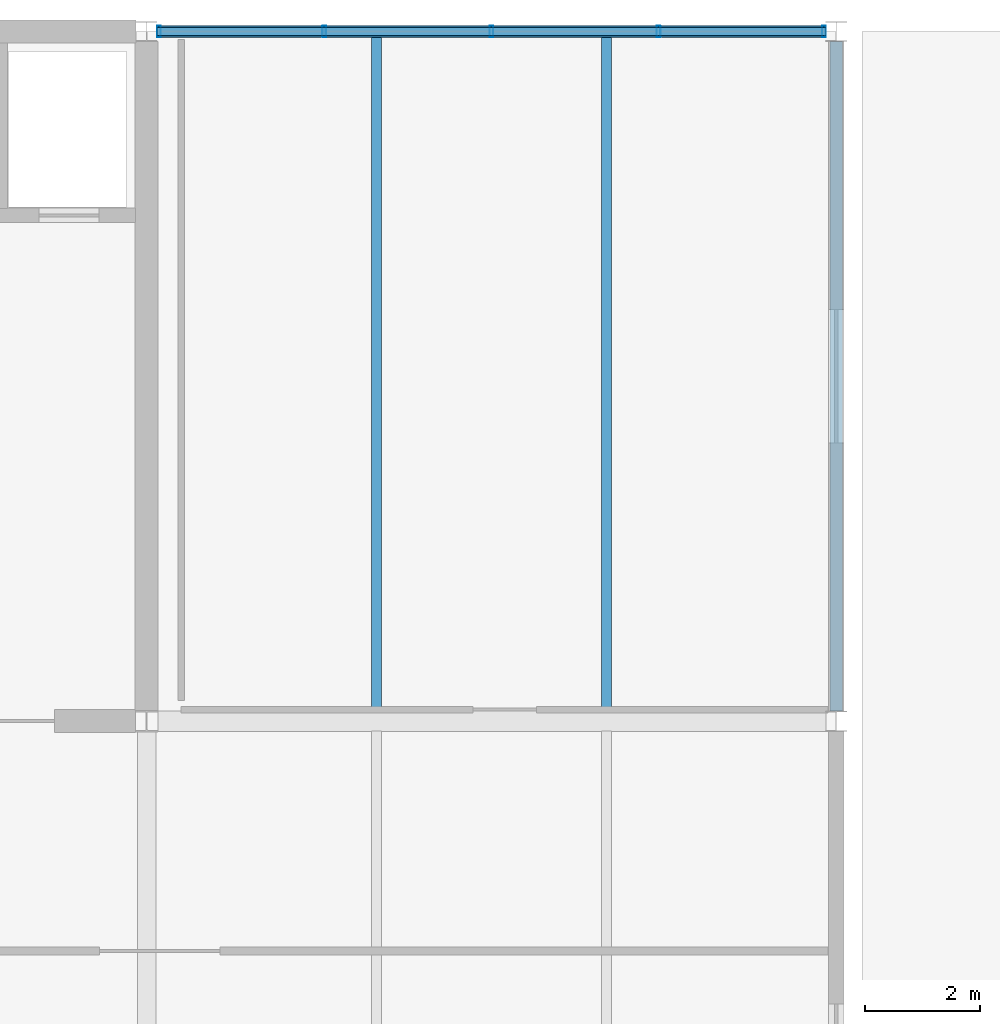
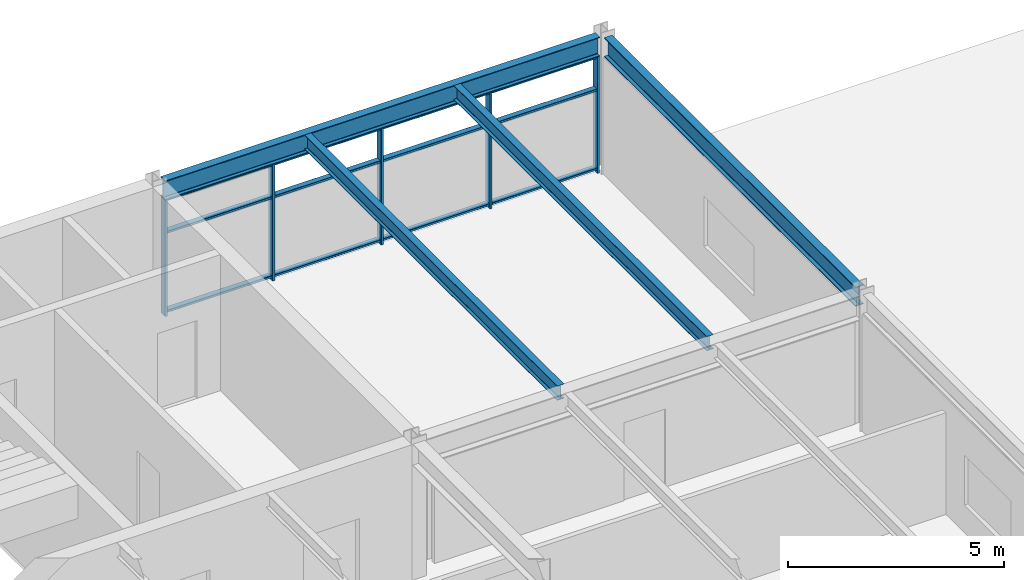
# One storey, part 20 of 30: 8 members, 4 beams, 1 element without a shape of its own.
"""IFC4 building model written with IfcOpenShell, lengths in metres."""

from ifc_helpers import new_model, si_unit, direction, frame, origin, origin_2d, place, context, subcontext, project, spatial, hollow_rectangle, i_section, extrude, material, material_profile, profile_set, type_object, element, aggregate, save


model = new_model("IFC4")

# Units and contexts
model_context = context("Model", 3, precision=1e-05, world=origin(), true_north=direction((0.0, 1.0)))
body_context = subcontext(model_context, "Body", "Model", "MODEL_VIEW")
ifc_project = project(units=[si_unit("LENGTHUNIT", "METRE"), si_unit("AREAUNIT", "SQUARE_METRE"), si_unit("VOLUMEUNIT", "CUBIC_METRE"), si_unit("PLANEANGLEUNIT", "RADIAN"), si_unit("MASSUNIT", "GRAM", prefix="KILO")], contexts=[model_context])

# Site, building, storey
site_placement = place(None, origin())
site = spatial("IfcSite", under=ifc_project, at=site_placement, CompositionType="ELEMENT")
building_placement = place(site_placement, origin())
building = spatial("IfcBuilding", under=site, at=building_placement, Name="Girod Span Mobility Hub", CompositionType="ELEMENT")
storey_placement = place(building_placement, frame((0.0, 0.0, 49.60009765625)))
storey = spatial("IfcBuildingStorey", under=building, at=storey_placement, Name="L12", CompositionType="ELEMENT", Elevation=49.60009765625)

# Beams
ifc_material_1 = material(Name="Steel A992 Grade 50", Category="steel")
ifc_material_profile_1 = material_profile(ifc_material_1, i_section(OverallWidth=0.178955078125, OverallDepth=0.409912109375, WebThickness=0.0087890625, FlangeThickness=0.014404296875, FilletRadius=0.012939453125, at=origin_2d()), Name="W16X45")
ifc_profile_set_1 = profile_set([ifc_material_profile_1], Name="Steel A992 Grade 50")
beam_type_1 = type_object("IfcBeamType", Name="BM-STL-W16X45", PredefinedType="BEAM", material=ifc_profile_set_1)
for number, where, z_axis, x_axis, name in (
    (1, (124.0, 57.174560546875, 3.639892578125), (0.0, 1.0, 0.0), (-1.0, 0.0, 0.0), "Composite Floorbeam 11/E-1 L12"),
    (2, (128.0, 57.174560546875, 3.639892578125), (0.0, 1.0, 0.0), (-1.0, 0.0, 0.0), "Composite Floorbeam 11/E-2 L12"),
):
    element("IfcBeam", number, at=place(storey_placement, frame(where, z_axis=z_axis, x_axis=x_axis)), inside=storey, type_object=beam_type_1, Name=name, PredefinedType="BEAM", context=body_context, shape_type="SweptSolid", body=[
        extrude(i_section(OverallWidth=0.178955078125, OverallDepth=0.409912109375, WebThickness=0.0087890625, FlangeThickness=0.014404296875, FilletRadius=0.012939453125, at=origin_2d()), origin(), (0.0, 0.0, 1.0), 11.722412109375),
    ])
ifc_material_2 = material(Name="Steel A992 Grade 50", Category="steel")
ifc_material_profile_2 = material_profile(ifc_material_2, i_section(OverallWidth=0.2119140625, OverallDepth=0.5439453125, WebThickness=0.01318359375, FlangeThickness=0.021240234375, FilletRadius=0.014892578125, at=origin_2d()), Name="W21X83")
ifc_profile_set_2 = profile_set([ifc_material_profile_2], Name="Steel A992 Grade 50")
beam_type_2 = type_object("IfcBeamType", Name="BM-STL-W21X83", PredefinedType="SPANDREL", material=ifc_profile_set_2)
beam_1_placement = place(storey_placement, frame((120.181396484375, 69.0, 3.572998046875), z_axis=(1.0, 0.0, 0.0), x_axis=(0.0, 1.0, 0.0)))
element("IfcBeam", 3, at=beam_1_placement, inside=storey, type_object=beam_type_2, Name="Girder 11-12/F L12", PredefinedType="SPANDREL", context=body_context, shape_type="SweptSolid", body=[
    extrude(i_section(OverallWidth=0.2119140625, OverallDepth=0.5439453125, WebThickness=0.01318359375, FlangeThickness=0.021240234375, FilletRadius=0.014892578125, at=origin_2d()), origin(), (0.0, 0.0, 1.0), 11.63720703125),
])
beam_2_placement = place(storey_placement, frame((132.0, 57.175048828125, 3.572998046875), z_axis=(0.0, 1.0, 0.0), x_axis=(-1.0, 0.0, 0.0)))
element("IfcBeam", 4, at=beam_2_placement, inside=storey, type_object=beam_type_2, Name="Tie Girder 12/E-F L12", PredefinedType="SPANDREL", context=body_context, shape_type="SweptSolid", body=[
    extrude(i_section(OverallWidth=0.2119140625, OverallDepth=0.5439453125, WebThickness=0.01318359375, FlangeThickness=0.021240234375, FilletRadius=0.014892578125, at=origin_2d()), origin(), (0.0, 0.0, 1.0), 11.64990234375),
])

# Curtain wall, members
ifc_material_3 = material(Name="Thermally Broken Anodised Aluminium", Category="aluminium")
curtain_wall_type = type_object("IfcCurtainWallType", Name="CW-1164X330", PredefinedType="USERDEFINED", material=ifc_material_3)
curtain_wall_placement = place(storey_placement, origin())
curtain_wall = element("IfcCurtainWall", 5, at=curtain_wall_placement, inside=storey, type_object=curtain_wall_type, Name="Unitised Curtain Wall CW-L12-N11 L12", ObjectType="UNITISED CURTAIN WALL", PredefinedType="USERDEFINED")
ifc_material_4 = material(Name="Thermally Broken Anodised Aluminium", Category="aluminium")
ifc_material_profile_3 = material_profile(ifc_material_4, hollow_rectangle(XDim=0.199951171875, YDim=0.06494140625, WallThickness=0.00390625, InnerFilletRadius=0.00390625, OuterFilletRadius=0.008056640625, at=origin_2d()), Name="CW-ML-65X200")
ifc_profile_set_3 = profile_set([ifc_material_profile_3], Name="Thermally Broken Anodised Aluminium")
member_type_1 = type_object("IfcMemberType", Name="CWM-ML-1", PredefinedType="MULLION", material=ifc_profile_set_3)
member_1_placement = place(storey_placement, frame((120.214599609375, 69.0, 0.0), z_axis=(0.0, 0.0, 1.0), x_axis=(0.0, 1.0, 0.0)))
member_1 = element("IfcMember", 6, at=member_1_placement, type_object=member_type_1, Name="Curtain Wall Mullion CW-L12-N11-M0", PredefinedType="MULLION", context=body_context, shape_type="SweptSolid", body=[
    extrude(hollow_rectangle(XDim=0.199951171875, YDim=0.06494140625, WallThickness=0.00390625, InnerFilletRadius=0.00390625, OuterFilletRadius=0.008056640625, at=origin_2d()), origin(), (0.0, 0.0, 1.0), 3.30078125),
])
member_2_placement = place(storey_placement, frame((123.09130859375, 69.0, 0.0), z_axis=(0.0, 0.0, 1.0), x_axis=(0.0, 1.0, 0.0)))
member_2 = element("IfcMember", 7, at=member_2_placement, type_object=member_type_1, Name="Curtain Wall Mullion CW-L12-N11-M1", PredefinedType="MULLION", context=body_context, shape_type="SweptSolid", body=[
    extrude(hollow_rectangle(XDim=0.199951171875, YDim=0.06494140625, WallThickness=0.00390625, InnerFilletRadius=0.00390625, OuterFilletRadius=0.008056640625, at=origin_2d()), origin(), (0.0, 0.0, 1.0), 3.30078125),
])
member_3_placement = place(storey_placement, frame((126.0, 69.0, 0.0), z_axis=(0.0, 0.0, 1.0), x_axis=(0.0, 1.0, 0.0)))
member_3 = element("IfcMember", 8, at=member_3_placement, type_object=member_type_1, Name="Curtain Wall Mullion CW-L12-N11-M2", PredefinedType="MULLION", context=body_context, shape_type="SweptSolid", body=[
    extrude(hollow_rectangle(XDim=0.199951171875, YDim=0.06494140625, WallThickness=0.00390625, InnerFilletRadius=0.00390625, OuterFilletRadius=0.008056640625, at=origin_2d()), origin(), (0.0, 0.0, 1.0), 3.30078125),
])
member_4_placement = place(storey_placement, frame((128.90869140625, 69.0, 0.0), z_axis=(0.0, 0.0, 1.0), x_axis=(0.0, 1.0, 0.0)))
member_4 = element("IfcMember", 9, at=member_4_placement, type_object=member_type_1, Name="Curtain Wall Mullion CW-L12-N11-M3", PredefinedType="MULLION", context=body_context, shape_type="SweptSolid", body=[
    extrude(hollow_rectangle(XDim=0.199951171875, YDim=0.06494140625, WallThickness=0.00390625, InnerFilletRadius=0.00390625, OuterFilletRadius=0.008056640625, at=origin_2d()), origin(), (0.0, 0.0, 1.0), 3.30078125),
])
member_5_placement = place(storey_placement, frame((131.785400390625, 69.0, 0.0), z_axis=(0.0, 0.0, 1.0), x_axis=(0.0, 1.0, 0.0)))
member_5 = element("IfcMember", 10, at=member_5_placement, type_object=member_type_1, Name="Curtain Wall Mullion CW-L12-N11-M4", PredefinedType="MULLION", context=body_context, shape_type="SweptSolid", body=[
    extrude(hollow_rectangle(XDim=0.199951171875, YDim=0.06494140625, WallThickness=0.00390625, InnerFilletRadius=0.00390625, OuterFilletRadius=0.008056640625, at=origin_2d()), origin(), (0.0, 0.0, 1.0), 3.30078125),
])
ifc_material_5 = material(Name="Thermally Broken Anodised Aluminium", Category="aluminium")
ifc_material_profile_4 = material_profile(ifc_material_5, hollow_rectangle(XDim=0.14990234375, YDim=0.06494140625, WallThickness=0.00390625, InnerFilletRadius=0.00390625, OuterFilletRadius=0.008056640625, at=origin_2d()), Name="CW-TR-65X150")
ifc_profile_set_4 = profile_set([ifc_material_profile_4], Name="Thermally Broken Anodised Aluminium")
member_type_2 = type_object("IfcMemberType", Name="CWM-TR-1", PredefinedType="USERDEFINED", material=ifc_profile_set_4)
member_6_placement = place(storey_placement, frame((120.1826171875, 69.0, 0.107421875), z_axis=(1.0, 0.0, 0.0), x_axis=(0.0, 1.0, 0.0)))
member_6 = element("IfcMember", 11, at=member_6_placement, type_object=member_type_2, Name="Curtain Wall Transom CW-L12-N11-T1", ObjectType="TRANSOM", PredefinedType="USERDEFINED", context=body_context, shape_type="SweptSolid", body=[
    extrude(hollow_rectangle(XDim=0.14990234375, YDim=0.06494140625, WallThickness=0.00390625, InnerFilletRadius=0.00390625, OuterFilletRadius=0.008056640625, at=origin_2d()), origin(), (0.0, 0.0, 1.0), 11.634765625),
])
member_7_placement = place(storey_placement, frame((120.1826171875, 69.0, 2.343994140625), z_axis=(1.0, 0.0, 0.0), x_axis=(0.0, 1.0, 0.0)))
member_7 = element("IfcMember", 12, at=member_7_placement, type_object=member_type_2, Name="Curtain Wall Transom CW-L12-N11-T2", ObjectType="TRANSOM", PredefinedType="USERDEFINED", context=body_context, shape_type="SweptSolid", body=[
    extrude(hollow_rectangle(XDim=0.14990234375, YDim=0.06494140625, WallThickness=0.00390625, InnerFilletRadius=0.00390625, OuterFilletRadius=0.008056640625, at=origin_2d()), origin(), (0.0, 0.0, 1.0), 11.634765625),
])
member_8_placement = place(storey_placement, frame((120.1826171875, 69.0, 3.268310546875), z_axis=(1.0, 0.0, 0.0), x_axis=(0.0, 1.0, 0.0)))
member_8 = element("IfcMember", 13, at=member_8_placement, type_object=member_type_2, Name="Curtain Wall Transom CW-L12-N11-T3", ObjectType="TRANSOM", PredefinedType="USERDEFINED", context=body_context, shape_type="SweptSolid", body=[
    extrude(hollow_rectangle(XDim=0.14990234375, YDim=0.06494140625, WallThickness=0.00390625, InnerFilletRadius=0.00390625, OuterFilletRadius=0.008056640625, at=origin_2d()), origin(), (0.0, 0.0, 1.0), 11.634765625),
])
aggregate(curtain_wall, [member_1, member_2, member_3, member_4, member_5, member_6, member_7, member_8])

save(model, "model.ifc")
